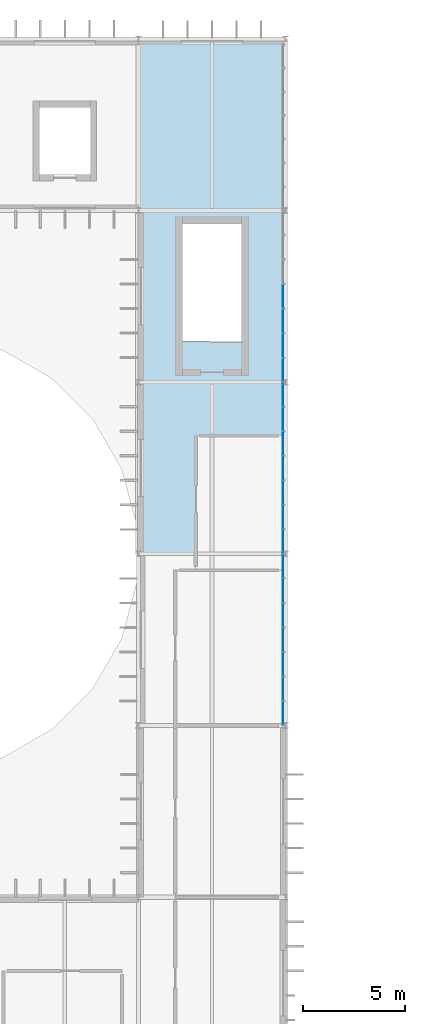
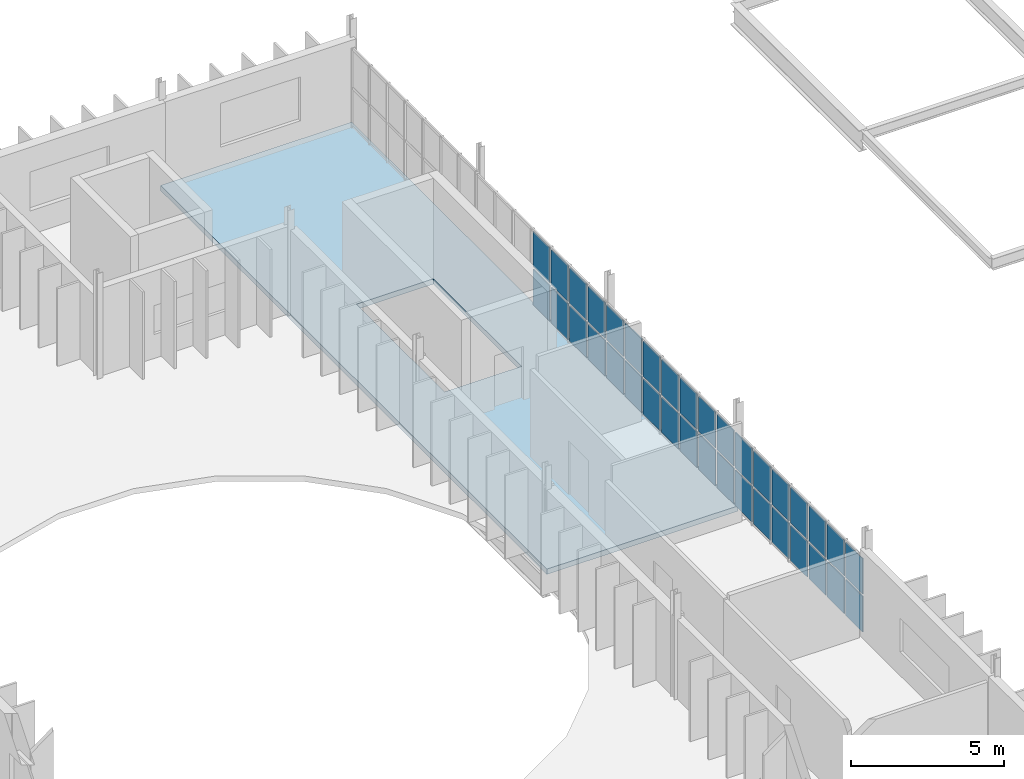
# One storey, part 12 of 18: 36 plates, 1 slab, 3 elements without a shape of their own.
"""IFC4 building model written with IfcOpenShell, lengths in metres."""

from ifc_helpers import new_model, si_unit, direction, frame, origin, origin_2d, place, context, subcontext, project, spatial, polyline, rectangle, outline, extrude, material, layer, layer_set, type_object, element, aggregate, save


model = new_model("IFC4")

# Units and contexts
model_context = context("Model", 3, precision=1e-05, world=origin(), true_north=direction((0.0, 1.0)))
body_context = subcontext(model_context, "Body", "Model", "MODEL_VIEW")
ifc_project = project(units=[si_unit("LENGTHUNIT", "METRE"), si_unit("AREAUNIT", "SQUARE_METRE"), si_unit("VOLUMEUNIT", "CUBIC_METRE"), si_unit("PLANEANGLEUNIT", "RADIAN"), si_unit("MASSUNIT", "GRAM", prefix="KILO")], contexts=[model_context])

# Site, building, storey
site_placement = place(None, origin())
site = spatial("IfcSite", under=ifc_project, at=site_placement, CompositionType="ELEMENT")
building_placement = place(site_placement, origin())
building = spatial("IfcBuilding", under=site, at=building_placement, Name="Qelthora Terrace Specialist Clinic", CompositionType="ELEMENT")
storey_placement = place(building_placement, frame((0.0, 0.0, 21.60009765625)))
storey = spatial("IfcBuildingStorey", under=building, at=storey_placement, Name="L05", CompositionType="ELEMENT", Elevation=21.60009765625)

# Curtain wall, plates
ifc_material_1 = material(Name="Aluminium anodized bronze", Category="aluminium")
curtain_wall_type = type_object("IfcCurtainWallType", Name="CW-NRS-L05", PredefinedType="NOTDEFINED", material=ifc_material_1)
curtain_wall_1_placement = place(storey_placement, origin())
curtain_wall_1 = element("IfcCurtainWall", 1, at=curtain_wall_1_placement, inside=storey, type_object=curtain_wall_type, Name="Curtain wall CW-L05-268", PredefinedType="NOTDEFINED")
ifc_material_2 = material(Name="Low-E triple-silver insulating glass", Category="glass")
ifc_layer_1 = layer(ifc_material_2, 0.035888671875)
ifc_layer_set_1 = layer_set([ifc_layer_1], Name="Low-E triple-silver insulating glass")
plate_type = type_object("IfcPlateType", Name="CWP-IGU-36", PredefinedType="CURTAIN_PANEL", material=ifc_layer_set_1)
plate_1_placement = place(storey_placement, frame((43.080078125, 76.199951171875, 0.0849609375), z_axis=(0.0, 0.0, 1.0), x_axis=(0.0, 1.0, 0.0)))
plate_1 = element("IfcPlate", 2, at=plate_1_placement, type_object=plate_type, Name="CW-L05-268 glazed panel 1", PredefinedType="CURTAIN_PANEL", context=body_context, shape_type="SweptSolid", body=[
    extrude(rectangle(XDim=1.10009765625, YDim=0.035888671875, at=origin_2d()), origin(), (0.0, 0.0, 1.0), 1.41552734375),
])
plate_2_placement = place(storey_placement, frame((43.080078125, 76.199951171875, 1.59033203125), z_axis=(0.0, 0.0, 1.0), x_axis=(0.0, 1.0, 0.0)))
plate_2 = element("IfcPlate", 3, at=plate_2_placement, type_object=plate_type, Name="CW-L05-268 glazed panel 2", PredefinedType="CURTAIN_PANEL", context=body_context, shape_type="SweptSolid", body=[
    extrude(rectangle(XDim=1.10009765625, YDim=0.035888671875, at=origin_2d()), origin(), (0.0, 0.0, 1.0), 1.41552734375),
])
plate_3_placement = place(storey_placement, frame((43.080078125, 77.39990234375, 0.0849609375), z_axis=(0.0, 0.0, 1.0), x_axis=(0.0, 1.0, 0.0)))
plate_3 = element("IfcPlate", 4, at=plate_3_placement, type_object=plate_type, Name="CW-L05-268 glazed panel 3", PredefinedType="CURTAIN_PANEL", context=body_context, shape_type="SweptSolid", body=[
    extrude(rectangle(XDim=1.10009765625, YDim=0.035888671875, at=origin_2d()), origin(), (0.0, 0.0, 1.0), 1.41552734375),
])
plate_4_placement = place(storey_placement, frame((43.080078125, 77.39990234375, 1.59033203125), z_axis=(0.0, 0.0, 1.0), x_axis=(0.0, 1.0, 0.0)))
plate_4 = element("IfcPlate", 5, at=plate_4_placement, type_object=plate_type, Name="CW-L05-268 glazed panel 4", PredefinedType="CURTAIN_PANEL", context=body_context, shape_type="SweptSolid", body=[
    extrude(rectangle(XDim=1.10009765625, YDim=0.035888671875, at=origin_2d()), origin(), (0.0, 0.0, 1.0), 1.41552734375),
])
plate_5_placement = place(storey_placement, frame((43.080078125, 78.60009765625, 0.0849609375), z_axis=(0.0, 0.0, 1.0), x_axis=(0.0, 1.0, 0.0)))
plate_5 = element("IfcPlate", 6, at=plate_5_placement, type_object=plate_type, Name="CW-L05-268 glazed panel 5", PredefinedType="CURTAIN_PANEL", context=body_context, shape_type="SweptSolid", body=[
    extrude(rectangle(XDim=1.10009765625, YDim=0.035888671875, at=origin_2d()), origin(), (0.0, 0.0, 1.0), 1.41552734375),
])
plate_6_placement = place(storey_placement, frame((43.080078125, 78.60009765625, 1.59033203125), z_axis=(0.0, 0.0, 1.0), x_axis=(0.0, 1.0, 0.0)))
plate_6 = element("IfcPlate", 7, at=plate_6_placement, type_object=plate_type, Name="CW-L05-268 glazed panel 6", PredefinedType="CURTAIN_PANEL", context=body_context, shape_type="SweptSolid", body=[
    extrude(rectangle(XDim=1.10009765625, YDim=0.035888671875, at=origin_2d()), origin(), (0.0, 0.0, 1.0), 1.41552734375),
])
plate_7_placement = place(storey_placement, frame((43.080078125, 79.800048828125, 0.0849609375), z_axis=(0.0, 0.0, 1.0), x_axis=(0.0, 1.0, 0.0)))
plate_7 = element("IfcPlate", 8, at=plate_7_placement, type_object=plate_type, Name="CW-L05-268 glazed panel 7", PredefinedType="CURTAIN_PANEL", context=body_context, shape_type="SweptSolid", body=[
    extrude(rectangle(XDim=1.10009765625, YDim=0.035888671875, at=origin_2d()), origin(), (0.0, 0.0, 1.0), 1.41552734375),
])
plate_8_placement = place(storey_placement, frame((43.080078125, 79.800048828125, 1.59033203125), z_axis=(0.0, 0.0, 1.0), x_axis=(0.0, 1.0, 0.0)))
plate_8 = element("IfcPlate", 9, at=plate_8_placement, type_object=plate_type, Name="CW-L05-268 glazed panel 8", PredefinedType="CURTAIN_PANEL", context=body_context, shape_type="SweptSolid", body=[
    extrude(rectangle(XDim=1.10009765625, YDim=0.035888671875, at=origin_2d()), origin(), (0.0, 0.0, 1.0), 1.41552734375),
])
plate_9_placement = place(storey_placement, frame((43.080078125, 81.0, 0.0849609375), z_axis=(0.0, 0.0, 1.0), x_axis=(0.0, 1.0, 0.0)))
plate_9 = element("IfcPlate", 10, at=plate_9_placement, type_object=plate_type, Name="CW-L05-268 glazed panel 9", PredefinedType="CURTAIN_PANEL", context=body_context, shape_type="SweptSolid", body=[
    extrude(rectangle(XDim=1.10009765625, YDim=0.035888671875, at=origin_2d()), origin(), (0.0, 0.0, 1.0), 1.41552734375),
])
plate_10_placement = place(storey_placement, frame((43.080078125, 81.0, 1.59033203125), z_axis=(0.0, 0.0, 1.0), x_axis=(0.0, 1.0, 0.0)))
plate_10 = element("IfcPlate", 11, at=plate_10_placement, type_object=plate_type, Name="CW-L05-268 glazed panel 10", PredefinedType="CURTAIN_PANEL", context=body_context, shape_type="SweptSolid", body=[
    extrude(rectangle(XDim=1.10009765625, YDim=0.035888671875, at=origin_2d()), origin(), (0.0, 0.0, 1.0), 1.41552734375),
])
plate_11_placement = place(storey_placement, frame((43.080078125, 82.199951171875, 0.0849609375), z_axis=(0.0, 0.0, 1.0), x_axis=(0.0, 1.0, 0.0)))
plate_11 = element("IfcPlate", 12, at=plate_11_placement, type_object=plate_type, Name="CW-L05-268 glazed panel 11", PredefinedType="CURTAIN_PANEL", context=body_context, shape_type="SweptSolid", body=[
    extrude(rectangle(XDim=1.10009765625, YDim=0.035888671875, at=origin_2d()), origin(), (0.0, 0.0, 1.0), 1.41552734375),
])
plate_12_placement = place(storey_placement, frame((43.080078125, 82.199951171875, 1.59033203125), z_axis=(0.0, 0.0, 1.0), x_axis=(0.0, 1.0, 0.0)))
plate_12 = element("IfcPlate", 13, at=plate_12_placement, type_object=plate_type, Name="CW-L05-268 glazed panel 12", PredefinedType="CURTAIN_PANEL", context=body_context, shape_type="SweptSolid", body=[
    extrude(rectangle(XDim=1.10009765625, YDim=0.035888671875, at=origin_2d()), origin(), (0.0, 0.0, 1.0), 1.41552734375),
])
plate_13_placement = place(storey_placement, frame((43.080078125, 83.39990234375, 0.0849609375), z_axis=(0.0, 0.0, 1.0), x_axis=(0.0, 1.0, 0.0)))
plate_13 = element("IfcPlate", 14, at=plate_13_placement, type_object=plate_type, Name="CW-L05-268 glazed panel 13", PredefinedType="CURTAIN_PANEL", context=body_context, shape_type="SweptSolid", body=[
    extrude(rectangle(XDim=1.10009765625, YDim=0.035888671875, at=origin_2d()), origin(), (0.0, 0.0, 1.0), 1.41552734375),
])
plate_14_placement = place(storey_placement, frame((43.080078125, 83.39990234375, 1.59033203125), z_axis=(0.0, 0.0, 1.0), x_axis=(0.0, 1.0, 0.0)))
plate_14 = element("IfcPlate", 15, at=plate_14_placement, type_object=plate_type, Name="CW-L05-268 glazed panel 14", PredefinedType="CURTAIN_PANEL", context=body_context, shape_type="SweptSolid", body=[
    extrude(rectangle(XDim=1.10009765625, YDim=0.035888671875, at=origin_2d()), origin(), (0.0, 0.0, 1.0), 1.41552734375),
])
aggregate(curtain_wall_1, [plate_1, plate_2, plate_3, plate_4, plate_5, plate_6, plate_7, plate_8, plate_9, plate_10, plate_11, plate_12, plate_13, plate_14])

curtain_wall_2_placement = place(storey_placement, origin())
curtain_wall_2 = element("IfcCurtainWall", 16, at=curtain_wall_2_placement, inside=storey, type_object=curtain_wall_type, Name="Curtain wall CW-L05-269", PredefinedType="NOTDEFINED")
plate_15_placement = place(storey_placement, frame((43.080078125, 84.60009765625, 0.0849609375), z_axis=(0.0, 0.0, 1.0), x_axis=(0.0, 1.0, 0.0)))
plate_15 = element("IfcPlate", 17, at=plate_15_placement, type_object=plate_type, Name="CW-L05-269 glazed panel 1", PredefinedType="CURTAIN_PANEL", context=body_context, shape_type="SweptSolid", body=[
    extrude(rectangle(XDim=1.10009765625, YDim=0.035888671875, at=origin_2d()), origin(), (0.0, 0.0, 1.0), 1.41552734375),
])
plate_16_placement = place(storey_placement, frame((43.080078125, 84.60009765625, 1.59033203125), z_axis=(0.0, 0.0, 1.0), x_axis=(0.0, 1.0, 0.0)))
plate_16 = element("IfcPlate", 18, at=plate_16_placement, type_object=plate_type, Name="CW-L05-269 glazed panel 2", PredefinedType="CURTAIN_PANEL", context=body_context, shape_type="SweptSolid", body=[
    extrude(rectangle(XDim=1.10009765625, YDim=0.035888671875, at=origin_2d()), origin(), (0.0, 0.0, 1.0), 1.41552734375),
])
plate_17_placement = place(storey_placement, frame((43.080078125, 85.800048828125, 0.0849609375), z_axis=(0.0, 0.0, 1.0), x_axis=(0.0, 1.0, 0.0)))
plate_17 = element("IfcPlate", 19, at=plate_17_placement, type_object=plate_type, Name="CW-L05-269 glazed panel 3", PredefinedType="CURTAIN_PANEL", context=body_context, shape_type="SweptSolid", body=[
    extrude(rectangle(XDim=1.10009765625, YDim=0.035888671875, at=origin_2d()), origin(), (0.0, 0.0, 1.0), 1.41552734375),
])
plate_18_placement = place(storey_placement, frame((43.080078125, 85.800048828125, 1.59033203125), z_axis=(0.0, 0.0, 1.0), x_axis=(0.0, 1.0, 0.0)))
plate_18 = element("IfcPlate", 20, at=plate_18_placement, type_object=plate_type, Name="CW-L05-269 glazed panel 4", PredefinedType="CURTAIN_PANEL", context=body_context, shape_type="SweptSolid", body=[
    extrude(rectangle(XDim=1.10009765625, YDim=0.035888671875, at=origin_2d()), origin(), (0.0, 0.0, 1.0), 1.41552734375),
])
plate_19_placement = place(storey_placement, frame((43.080078125, 87.0, 0.0849609375), z_axis=(0.0, 0.0, 1.0), x_axis=(0.0, 1.0, 0.0)))
plate_19 = element("IfcPlate", 21, at=plate_19_placement, type_object=plate_type, Name="CW-L05-269 glazed panel 5", PredefinedType="CURTAIN_PANEL", context=body_context, shape_type="SweptSolid", body=[
    extrude(rectangle(XDim=1.10009765625, YDim=0.035888671875, at=origin_2d()), origin(), (0.0, 0.0, 1.0), 1.41552734375),
])
plate_20_placement = place(storey_placement, frame((43.080078125, 87.0, 1.59033203125), z_axis=(0.0, 0.0, 1.0), x_axis=(0.0, 1.0, 0.0)))
plate_20 = element("IfcPlate", 22, at=plate_20_placement, type_object=plate_type, Name="CW-L05-269 glazed panel 6", PredefinedType="CURTAIN_PANEL", context=body_context, shape_type="SweptSolid", body=[
    extrude(rectangle(XDim=1.10009765625, YDim=0.035888671875, at=origin_2d()), origin(), (0.0, 0.0, 1.0), 1.41552734375),
])
plate_21_placement = place(storey_placement, frame((43.080078125, 88.199951171875, 0.0849609375), z_axis=(0.0, 0.0, 1.0), x_axis=(0.0, 1.0, 0.0)))
plate_21 = element("IfcPlate", 23, at=plate_21_placement, type_object=plate_type, Name="CW-L05-269 glazed panel 7", PredefinedType="CURTAIN_PANEL", context=body_context, shape_type="SweptSolid", body=[
    extrude(rectangle(XDim=1.10009765625, YDim=0.035888671875, at=origin_2d()), origin(), (0.0, 0.0, 1.0), 1.41552734375),
])
plate_22_placement = place(storey_placement, frame((43.080078125, 88.199951171875, 1.59033203125), z_axis=(0.0, 0.0, 1.0), x_axis=(0.0, 1.0, 0.0)))
plate_22 = element("IfcPlate", 24, at=plate_22_placement, type_object=plate_type, Name="CW-L05-269 glazed panel 8", PredefinedType="CURTAIN_PANEL", context=body_context, shape_type="SweptSolid", body=[
    extrude(rectangle(XDim=1.10009765625, YDim=0.035888671875, at=origin_2d()), origin(), (0.0, 0.0, 1.0), 1.41552734375),
])
plate_23_placement = place(storey_placement, frame((43.080078125, 89.39990234375, 0.0849609375), z_axis=(0.0, 0.0, 1.0), x_axis=(0.0, 1.0, 0.0)))
plate_23 = element("IfcPlate", 25, at=plate_23_placement, type_object=plate_type, Name="CW-L05-269 glazed panel 9", PredefinedType="CURTAIN_PANEL", context=body_context, shape_type="SweptSolid", body=[
    extrude(rectangle(XDim=1.10009765625, YDim=0.035888671875, at=origin_2d()), origin(), (0.0, 0.0, 1.0), 1.41552734375),
])
plate_24_placement = place(storey_placement, frame((43.080078125, 89.39990234375, 1.59033203125), z_axis=(0.0, 0.0, 1.0), x_axis=(0.0, 1.0, 0.0)))
plate_24 = element("IfcPlate", 26, at=plate_24_placement, type_object=plate_type, Name="CW-L05-269 glazed panel 10", PredefinedType="CURTAIN_PANEL", context=body_context, shape_type="SweptSolid", body=[
    extrude(rectangle(XDim=1.10009765625, YDim=0.035888671875, at=origin_2d()), origin(), (0.0, 0.0, 1.0), 1.41552734375),
])
plate_25_placement = place(storey_placement, frame((43.080078125, 90.60009765625, 0.0849609375), z_axis=(0.0, 0.0, 1.0), x_axis=(0.0, 1.0, 0.0)))
plate_25 = element("IfcPlate", 27, at=plate_25_placement, type_object=plate_type, Name="CW-L05-269 glazed panel 11", PredefinedType="CURTAIN_PANEL", context=body_context, shape_type="SweptSolid", body=[
    extrude(rectangle(XDim=1.10009765625, YDim=0.035888671875, at=origin_2d()), origin(), (0.0, 0.0, 1.0), 1.41552734375),
])
plate_26_placement = place(storey_placement, frame((43.080078125, 90.60009765625, 1.59033203125), z_axis=(0.0, 0.0, 1.0), x_axis=(0.0, 1.0, 0.0)))
plate_26 = element("IfcPlate", 28, at=plate_26_placement, type_object=plate_type, Name="CW-L05-269 glazed panel 12", PredefinedType="CURTAIN_PANEL", context=body_context, shape_type="SweptSolid", body=[
    extrude(rectangle(XDim=1.10009765625, YDim=0.035888671875, at=origin_2d()), origin(), (0.0, 0.0, 1.0), 1.41552734375),
])
plate_27_placement = place(storey_placement, frame((43.080078125, 91.800048828125, 0.0849609375), z_axis=(0.0, 0.0, 1.0), x_axis=(0.0, 1.0, 0.0)))
plate_27 = element("IfcPlate", 29, at=plate_27_placement, type_object=plate_type, Name="CW-L05-269 glazed panel 13", PredefinedType="CURTAIN_PANEL", context=body_context, shape_type="SweptSolid", body=[
    extrude(rectangle(XDim=1.10009765625, YDim=0.035888671875, at=origin_2d()), origin(), (0.0, 0.0, 1.0), 1.41552734375),
])
plate_28_placement = place(storey_placement, frame((43.080078125, 91.800048828125, 1.59033203125), z_axis=(0.0, 0.0, 1.0), x_axis=(0.0, 1.0, 0.0)))
plate_28 = element("IfcPlate", 30, at=plate_28_placement, type_object=plate_type, Name="CW-L05-269 glazed panel 14", PredefinedType="CURTAIN_PANEL", context=body_context, shape_type="SweptSolid", body=[
    extrude(rectangle(XDim=1.10009765625, YDim=0.035888671875, at=origin_2d()), origin(), (0.0, 0.0, 1.0), 1.41552734375),
])
aggregate(curtain_wall_2, [plate_15, plate_16, plate_17, plate_18, plate_19, plate_20, plate_21, plate_22, plate_23, plate_24, plate_25, plate_26, plate_27, plate_28])

curtain_wall_3_placement = place(storey_placement, origin())
curtain_wall_3 = element("IfcCurtainWall", 31, at=curtain_wall_3_placement, inside=storey, type_object=curtain_wall_type, Name="Curtain wall CW-L05-270", PredefinedType="NOTDEFINED")
plate_29_placement = place(storey_placement, frame((43.080078125, 93.0, 0.0849609375), z_axis=(0.0, 0.0, 1.0), x_axis=(0.0, 1.0, 0.0)))
plate_29 = element("IfcPlate", 32, at=plate_29_placement, type_object=plate_type, Name="CW-L05-270 glazed panel 1", PredefinedType="CURTAIN_PANEL", context=body_context, shape_type="SweptSolid", body=[
    extrude(rectangle(XDim=1.10009765625, YDim=0.035888671875, at=origin_2d()), origin(), (0.0, 0.0, 1.0), 1.41552734375),
])
plate_30_placement = place(storey_placement, frame((43.080078125, 93.0, 1.59033203125), z_axis=(0.0, 0.0, 1.0), x_axis=(0.0, 1.0, 0.0)))
plate_30 = element("IfcPlate", 33, at=plate_30_placement, type_object=plate_type, Name="CW-L05-270 glazed panel 2", PredefinedType="CURTAIN_PANEL", context=body_context, shape_type="SweptSolid", body=[
    extrude(rectangle(XDim=1.10009765625, YDim=0.035888671875, at=origin_2d()), origin(), (0.0, 0.0, 1.0), 1.41552734375),
])
plate_31_placement = place(storey_placement, frame((43.080078125, 94.199951171875, 0.0849609375), z_axis=(0.0, 0.0, 1.0), x_axis=(0.0, 1.0, 0.0)))
plate_31 = element("IfcPlate", 34, at=plate_31_placement, type_object=plate_type, Name="CW-L05-270 glazed panel 3", PredefinedType="CURTAIN_PANEL", context=body_context, shape_type="SweptSolid", body=[
    extrude(rectangle(XDim=1.10009765625, YDim=0.035888671875, at=origin_2d()), origin(), (0.0, 0.0, 1.0), 1.41552734375),
])
plate_32_placement = place(storey_placement, frame((43.080078125, 94.199951171875, 1.59033203125), z_axis=(0.0, 0.0, 1.0), x_axis=(0.0, 1.0, 0.0)))
plate_32 = element("IfcPlate", 35, at=plate_32_placement, type_object=plate_type, Name="CW-L05-270 glazed panel 4", PredefinedType="CURTAIN_PANEL", context=body_context, shape_type="SweptSolid", body=[
    extrude(rectangle(XDim=1.10009765625, YDim=0.035888671875, at=origin_2d()), origin(), (0.0, 0.0, 1.0), 1.41552734375),
])
plate_33_placement = place(storey_placement, frame((43.080078125, 95.39990234375, 0.0849609375), z_axis=(0.0, 0.0, 1.0), x_axis=(0.0, 1.0, 0.0)))
plate_33 = element("IfcPlate", 36, at=plate_33_placement, type_object=plate_type, Name="CW-L05-270 glazed panel 5", PredefinedType="CURTAIN_PANEL", context=body_context, shape_type="SweptSolid", body=[
    extrude(rectangle(XDim=1.10009765625, YDim=0.035888671875, at=origin_2d()), origin(), (0.0, 0.0, 1.0), 1.41552734375),
])
plate_34_placement = place(storey_placement, frame((43.080078125, 95.39990234375, 1.59033203125), z_axis=(0.0, 0.0, 1.0), x_axis=(0.0, 1.0, 0.0)))
plate_34 = element("IfcPlate", 37, at=plate_34_placement, type_object=plate_type, Name="CW-L05-270 glazed panel 6", PredefinedType="CURTAIN_PANEL", context=body_context, shape_type="SweptSolid", body=[
    extrude(rectangle(XDim=1.10009765625, YDim=0.035888671875, at=origin_2d()), origin(), (0.0, 0.0, 1.0), 1.41552734375),
])
plate_35_placement = place(storey_placement, frame((43.080078125, 96.60009765625, 0.0849609375), z_axis=(0.0, 0.0, 1.0), x_axis=(0.0, 1.0, 0.0)))
plate_35 = element("IfcPlate", 38, at=plate_35_placement, type_object=plate_type, Name="CW-L05-270 glazed panel 7", PredefinedType="CURTAIN_PANEL", context=body_context, shape_type="SweptSolid", body=[
    extrude(rectangle(XDim=1.10009765625, YDim=0.035888671875, at=origin_2d()), origin(), (0.0, 0.0, 1.0), 1.41552734375),
])
plate_36_placement = place(storey_placement, frame((43.080078125, 96.60009765625, 1.59033203125), z_axis=(0.0, 0.0, 1.0), x_axis=(0.0, 1.0, 0.0)))
plate_36 = element("IfcPlate", 39, at=plate_36_placement, type_object=plate_type, Name="CW-L05-270 glazed panel 8", PredefinedType="CURTAIN_PANEL", context=body_context, shape_type="SweptSolid", body=[
    extrude(rectangle(XDim=1.10009765625, YDim=0.035888671875, at=origin_2d()), origin(), (0.0, 0.0, 1.0), 1.41552734375),
])
aggregate(curtain_wall_3, [plate_29, plate_30, plate_31, plate_32, plate_33, plate_34, plate_35, plate_36])

# Slab
ifc_material_3 = material(Name="Concrete C30/37", Category="concrete")
ifc_layer_2 = layer(ifc_material_3, 0.2099609375)
ifc_layer_set_2 = layer_set([ifc_layer_2], Name="Concrete C30/37")
slab_type = type_object("IfcSlabType", Name="SLB-FLR-210-C30", PredefinedType="FLOOR", material=ifc_layer_set_2)
slab_placement = place(storey_placement, frame((0.0, 0.0, -0.210205078125)))
element("IfcSlab", 40, at=slab_placement, inside=storey, type_object=slab_type, Name="L05 V5 slab SLB-L05-V5B2", PredefinedType="FLOOR", context=body_context, shape_type="SweptSolid", body=[
    extrude(outline(polyline([(36.0, 109.199951171875), (43.199951171875, 109.199951171875), (43.199951171875, 84.0), (36.0, 84.0), (36.0, 109.199951171875)]), holes=[polyline([(38.14990234375, 100.14990234375), (38.14990234375, 94.400634765625), (41.050048828125, 94.400634765625), (41.050048828125, 100.14990234375), (38.14990234375, 100.14990234375)])]), origin(), (0.0, 0.0, 1.0), 0.210205078125),
])

save(model, "model.ifc")
